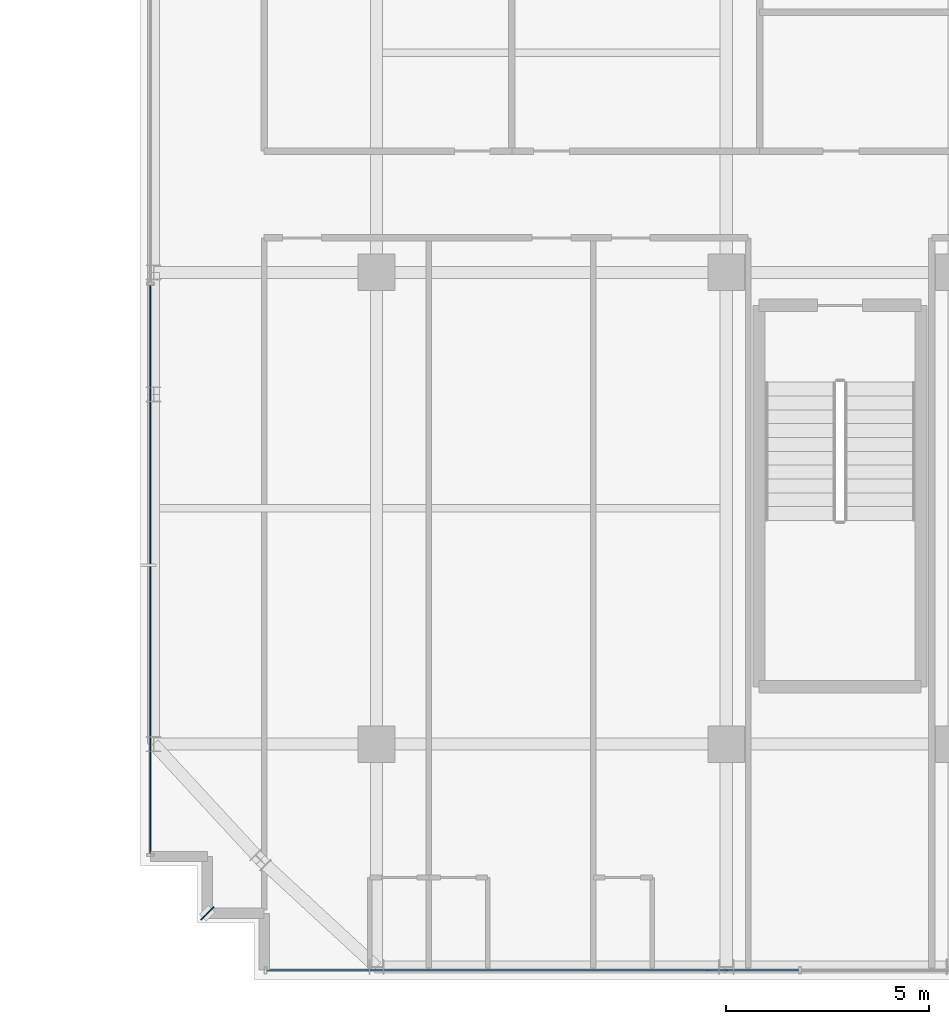
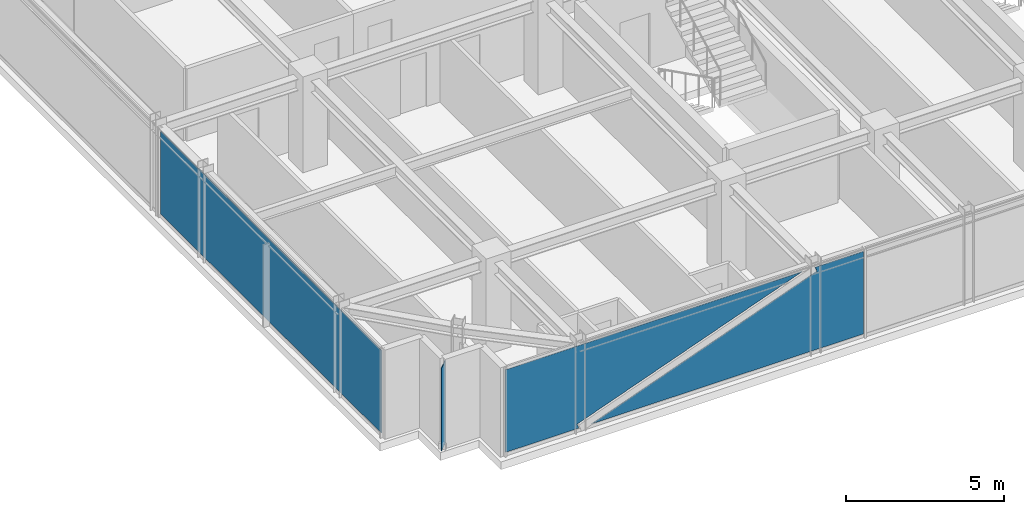
# One storey, part 25 of 36: 3 plates, 2 elements without a shape of their own.
"""IFC4 building model written with IfcOpenShell, lengths in metres."""

from ifc_helpers import new_model, si_unit, direction, frame, origin, origin_2d, place, context, subcontext, project, spatial, polyline, rectangle, outline, extrude, source, transform, mapped, material, layer, layer_set, type_object, element, aggregate, save


model = new_model("IFC4")

# Units and contexts
model_context = context("Model", 3, precision=1e-05, world=origin(), true_north=direction((0.0, 1.0)))
body_context = subcontext(model_context, "Body", "Model", "MODEL_VIEW")
ifc_project = project(units=[si_unit("LENGTHUNIT", "METRE"), si_unit("AREAUNIT", "SQUARE_METRE"), si_unit("VOLUMEUNIT", "CUBIC_METRE"), si_unit("PLANEANGLEUNIT", "RADIAN"), si_unit("MASSUNIT", "GRAM", prefix="KILO")], contexts=[model_context])

# Site, building, storey
site_placement = place(None, origin())
site = spatial("IfcSite", under=ifc_project, at=site_placement, CompositionType="ELEMENT")
building_placement = place(site_placement, origin())
building = spatial("IfcBuilding", under=site, at=building_placement, Name="Nahalor Promenade Grand Hotel", CompositionType="ELEMENT")
storey_placement = place(building_placement, frame((0.0, 0.0, 273.800048828125)))
storey = spatial("IfcBuildingStorey", under=building, at=storey_placement, Name="L70", CompositionType="ELEMENT", Elevation=273.800048828125)

# Curtain wall, plate
ifc_material_1 = material(Name="Anodised Bronze Aluminium EN AW-6063 T6", Category="aluminium")
curtain_wall_type = type_object("IfcCurtainWallType", Name="CW2 Typical Hotel Flush Bronze Unitised Curtain Wall", PredefinedType="USERDEFINED", material=ifc_material_1)
curtain_wall_1_placement = place(storey_placement, origin())
curtain_wall_1 = element("IfcCurtainWall", 1, at=curtain_wall_1_placement, inside=storey, type_object=curtain_wall_type, Name="L70 Curtain Wall CW-L70-S-1", ObjectType="UNITISED_CURTAIN_WALL", PredefinedType="USERDEFINED")
ifc_material_2 = material(Name="Low-E Laminated Solar Glass", Category="glass")
ifc_layer_1 = layer(ifc_material_2, 0.028076171875)
ifc_layer_set_1 = layer_set([ifc_layer_1], Name="Low-E Laminated Solar Glass")
plate_type_1 = type_object("IfcPlateType", Name="CWP2 Bronze Low-E Vision IGU 28mm", PredefinedType="CURTAIN_PANEL", material=ifc_layer_set_1)
plate_1_placement = place(storey_placement, frame((-13.156982421875, -22.56005859375, 0.1298828125), z_axis=(0.0, 0.0, 1.0), x_axis=(1.0, 0.0, 0.0)))
plate_1 = element("IfcPlate", 2, at=plate_1_placement, type_object=plate_type_1, Name="CW-L70-S-1 Glazing Panel 0-0", PredefinedType="CURTAIN_PANEL", context=body_context, shape_type="SweptSolid", body=[
    extrude(outline(polyline([(-6.537841796875, 3.18994140625), (-6.537841796875, 0.0), (-3.8623046875, 0.0), (-3.926513671875, 0.17578125), (4.302978515625, 3.18994140625), (-6.537841796875, 3.18994140625)])), frame((0.0, 0.01416015625, 0.0), z_axis=(0.0, -1.0, 0.0), x_axis=(1.0, 0.0, 0.0)), (0.0, 0.0, 1.0), 0.028076171875),
    extrude(outline(polyline([(6.537841796875, 0.0), (6.537841796875, 3.18994140625), (4.7763671875, 3.18994140625), (4.8408203125, 3.01416015625), (-3.388671875, 0.0), (6.537841796875, 0.0)])), frame((0.0, 0.01416015625, 0.0), z_axis=(0.0, -1.0, 0.0), x_axis=(1.0, 0.0, 0.0)), (0.0, 0.0, 1.0), 0.028076171875),
])
aggregate(curtain_wall_1, [plate_1])

# Plate
ifc_layer_2 = layer(ifc_material_1, 0.02001953125)
ifc_layer_set_2 = layer_set([ifc_layer_2], Name="Anodised Bronze Aluminium EN AW-6063 T6")
plate_type_2 = type_object("IfcPlateType", Name="Plate-CornerFin-20", PredefinedType="SHEET", material=ifc_layer_set_2)
shared_shape_1 = source(origin(), body_context, "Body", "SweptSolid", [
    extrude(rectangle(XDim=0.449951171875, YDim=0.02001953125, at=origin_2d()), origin(), (0.0, 0.0, 1.0), 3.199951171875),
])
plate_2_placement = place(storey_placement, frame((-21.159912109375, -21.159912109375, 0.0), z_axis=(0.0, 0.0, 1.0), x_axis=(0.707106781187, 0.707106781187, 0.0)))
element("IfcPlate", 3, at=plate_2_placement, inside=storey, type_object=plate_type_2, Name="FIN-L70-SW", PredefinedType="SHEET", context=body_context, shape_type="MappedRepresentation", body=[
    mapped(shared_shape_1, transform((0.0, 0.0, 0.0), scale=1.0)),
])

# Curtain wall, plate
curtain_wall_2_placement = place(storey_placement, origin())
curtain_wall_2 = element("IfcCurtainWall", 4, at=curtain_wall_2_placement, inside=storey, type_object=curtain_wall_type, Name="L70 Curtain Wall CW-L70-W-1", ObjectType="UNITISED_CURTAIN_WALL", PredefinedType="USERDEFINED")
shared_shape_2 = source(origin(), body_context, "Body", "SweptSolid", [
    extrude(rectangle(XDim=13.982421875, YDim=0.028076171875, at=origin_2d()), origin(), (0.0, 0.0, 1.0), 3.18994140625),
])
plate_3_placement = place(storey_placement, frame((-22.56005859375, -12.703857421875, 0.1298828125), z_axis=(0.0, 0.0, 1.0), x_axis=(0.0, 1.0, 0.0)))
plate_3 = element("IfcPlate", 5, at=plate_3_placement, type_object=plate_type_1, Name="CW-L70-W-1 Glazing Panel 0-0", PredefinedType="CURTAIN_PANEL", context=body_context, shape_type="MappedRepresentation", body=[
    mapped(shared_shape_2, transform((0.0, 0.0, 0.0), scale=1.0)),
])
aggregate(curtain_wall_2, [plate_3])

save(model, "model.ifc")
